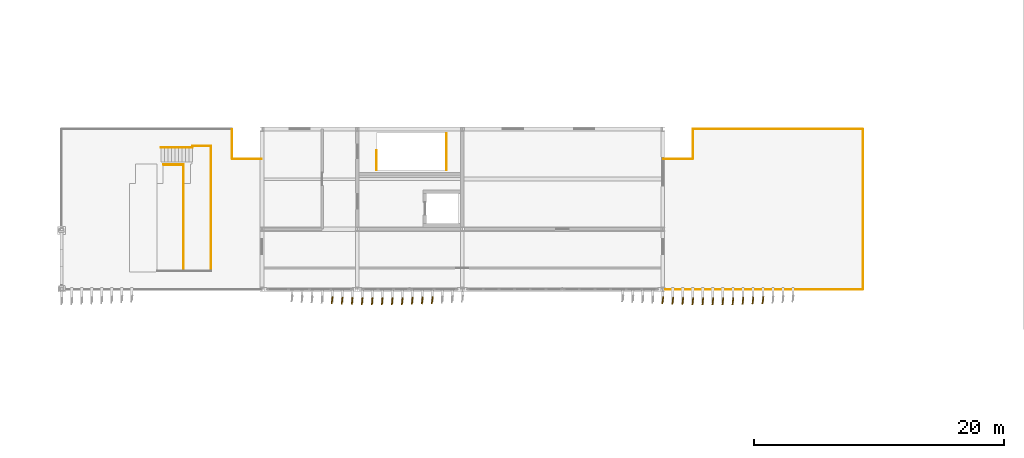
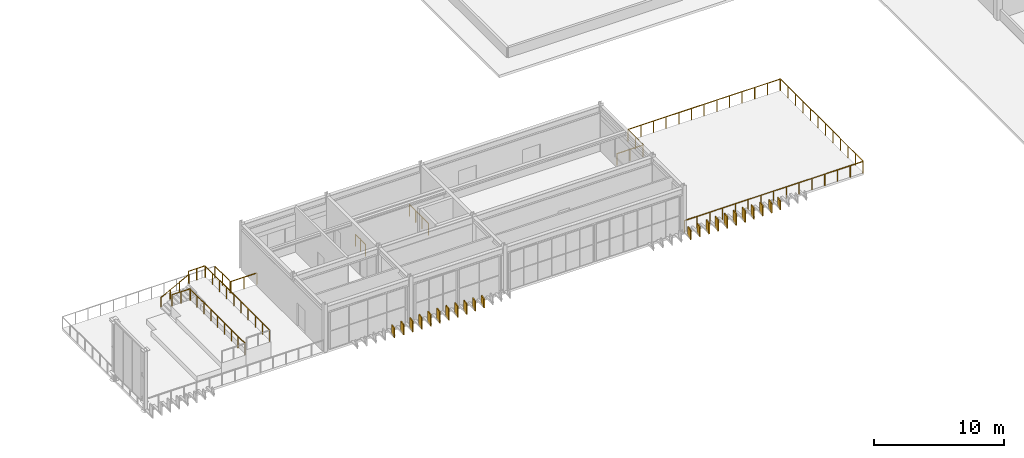
# One storey, part 41 of 45: 22 coverings, 14 railings.
"""IFC4 building model written with IfcOpenShell, lengths in metres."""

from ifc_helpers import new_model, si_unit, direction, frame, origin, origin_2d, place, context, subcontext, project, spatial, rectangle, circle, extrude, material, layer, layer_set, type_object, element, save


model = new_model("IFC4")

# Units and contexts
model_context = context("Model", 3, precision=1e-05, world=origin(), true_north=direction((0.0, 1.0)))
body_context = subcontext(model_context, "Body", "Model", "MODEL_VIEW")
ifc_project = project(units=[si_unit("LENGTHUNIT", "METRE"), si_unit("AREAUNIT", "SQUARE_METRE"), si_unit("VOLUMEUNIT", "CUBIC_METRE"), si_unit("PLANEANGLEUNIT", "RADIAN"), si_unit("MASSUNIT", "GRAM", prefix="KILO")], contexts=[model_context])

# Site, building, storey
site_placement = place(None, origin())
site = spatial("IfcSite", under=ifc_project, at=site_placement, CompositionType="ELEMENT")
building_placement = place(site_placement, origin())
building = spatial("IfcBuilding", under=site, at=building_placement, Name="Cinchona Park Media Centre", CompositionType="ELEMENT")
storey_placement = place(building_placement, frame((0.0, 0.0, 20.39990234375)))
storey = spatial("IfcBuildingStorey", under=building, at=storey_placement, Name="L04", CompositionType="ELEMENT", Elevation=20.39990234375)

# Coverings
ifc_material_1 = material(Name="Anodised Storm-Resistant Aluminium Fin", Category="aluminium")
ifc_layer = layer(ifc_material_1, 0.090087890625)
ifc_layer_set = layer_set([ifc_layer], Name="Anodised Storm-Resistant Aluminium Fin")
covering_type = type_object("IfcCoveringType", Name="CLADDING-FIN01", PredefinedType="CLADDING", material=ifc_layer_set)
covering_1_placement = place(storey_placement, frame((84.39990234375, 73.919921875, 0.0), z_axis=(0.0, 0.0, 1.0), x_axis=(0.150743225348, 0.988572951285, 0.0)))
element("IfcCovering", 1, at=covering_1_placement, inside=storey, type_object=covering_type, Name="Twisting Vertical Facade Fin L04", PredefinedType="CLADDING", context=body_context, shape_type="SweptSolid", body=[
    extrude(rectangle(XDim=0.56005859375, YDim=0.090087890625, at=origin_2d()), origin(), (0.0, 0.0, 1.0), 0.889892578125),
])
covering_2_placement = place(storey_placement, frame((85.199951171875, 73.89111328125, 0.0), z_axis=(0.0, 0.0, 1.0), x_axis=(0.134159142573, 0.990959799621, 0.0)))
element("IfcCovering", 2, at=covering_2_placement, inside=storey, type_object=covering_type, Name="Twisting Vertical Facade Fin L04", PredefinedType="CLADDING", context=body_context, shape_type="SweptSolid", body=[
    extrude(rectangle(XDim=0.56005859375, YDim=0.090087890625, at=origin_2d()), origin(), (0.0, 0.0, 1.0), 0.966064453125),
])
covering_3_placement = place(storey_placement, frame((86.0, 73.867919921875, 0.000244140625), z_axis=(0.0, 0.0, 1.0), x_axis=(0.120829884873, 0.992673228672, 0.0)))
element("IfcCovering", 3, at=covering_3_placement, inside=storey, type_object=covering_type, Name="Twisting Vertical Facade Fin L04", PredefinedType="CLADDING", context=body_context, shape_type="SweptSolid", body=[
    extrude(rectangle(XDim=0.56005859375, YDim=0.090087890625, at=origin_2d()), origin(), (0.0, 0.0, 1.0), 1.02587890625),
])
covering_4_placement = place(storey_placement, frame((86.800048828125, 73.85205078125, 0.0), z_axis=(0.0, 0.0, 1.0), x_axis=(0.111122034978, 0.993806768614, 0.0)))
element("IfcCovering", 4, at=covering_4_placement, inside=storey, type_object=covering_type, Name="Twisting Vertical Facade Fin L04", PredefinedType="CLADDING", context=body_context, shape_type="SweptSolid", body=[
    extrude(rectangle(XDim=0.56005859375, YDim=0.090087890625, at=origin_2d()), origin(), (0.0, 0.0, 1.0), 1.070068359375),
])
covering_5_placement = place(storey_placement, frame((87.60009765625, 73.842041015625, 0.0), z_axis=(0.0, 0.0, 1.0), x_axis=(0.105743422663, 0.994393447567, 0.0)))
element("IfcCovering", 5, at=covering_5_placement, inside=storey, type_object=covering_type, Name="Twisting Vertical Facade Fin L04", PredefinedType="CLADDING", context=body_context, shape_type="SweptSolid", body=[
    extrude(rectangle(XDim=0.56005859375, YDim=0.090087890625, at=origin_2d()), origin(), (0.0, 0.0, 1.0), 1.093994140625),
])
covering_6_placement = place(storey_placement, frame((88.39990234375, 73.840087890625, 0.00048828125), z_axis=(0.0, 0.0, 1.0), x_axis=(0.10470203849, 0.994503636562, 0.0)))
element("IfcCovering", 6, at=covering_6_placement, inside=storey, type_object=covering_type, Name="Twisting Vertical Facade Fin L04", PredefinedType="CLADDING", context=body_context, shape_type="SweptSolid", body=[
    extrude(rectangle(XDim=0.56005859375, YDim=0.090087890625, at=origin_2d()), origin(), (0.0, 0.0, 1.0), 1.09912109375),
])
covering_7_placement = place(storey_placement, frame((89.199951171875, 73.845947265625, 0.0), z_axis=(0.0, 0.0, 1.0), x_axis=(0.107999355706, 0.994150963972, 0.0)))
element("IfcCovering", 7, at=covering_7_placement, inside=storey, type_object=covering_type, Name="Twisting Vertical Facade Fin L04", PredefinedType="CLADDING", context=body_context, shape_type="SweptSolid", body=[
    extrude(rectangle(XDim=0.56005859375, YDim=0.090087890625, at=origin_2d()), origin(), (0.0, 0.0, 1.0), 1.083984375),
])
covering_8_placement = place(storey_placement, frame((90.0, 73.85888671875, 0.0), z_axis=(0.0, 0.0, 1.0), x_axis=(0.115457263478, 0.993312448482, 0.0)))
element("IfcCovering", 8, at=covering_8_placement, inside=storey, type_object=covering_type, Name="Twisting Vertical Facade Fin L04", PredefinedType="CLADDING", context=body_context, shape_type="SweptSolid", body=[
    extrude(rectangle(XDim=0.56005859375, YDim=0.090087890625, at=origin_2d()), origin(), (0.0, 0.0, 1.0), 1.050048828125),
])
covering_9_placement = place(storey_placement, frame((90.800048828125, 73.87890625, 0.0), z_axis=(0.0, 0.0, 1.0), x_axis=(0.127064608601, 0.99189444259, 0.0)))
element("IfcCovering", 9, at=covering_9_placement, inside=storey, type_object=covering_type, Name="Twisting Vertical Facade Fin L04", PredefinedType="CLADDING", context=body_context, shape_type="SweptSolid", body=[
    extrude(rectangle(XDim=0.56005859375, YDim=0.090087890625, at=origin_2d()), origin(), (0.0, 0.0, 1.0), 0.998046875),
])
covering_10_placement = place(storey_placement, frame((91.60009765625, 73.905029296875, 0.0), z_axis=(0.0, 0.0, 1.0), x_axis=(0.142110668555, 0.989850775563, 0.0)))
element("IfcCovering", 10, at=covering_10_placement, inside=storey, type_object=covering_type, Name="Twisting Vertical Facade Fin L04", PredefinedType="CLADDING", context=body_context, shape_type="SweptSolid", body=[
    extrude(rectangle(XDim=0.56005859375, YDim=0.090087890625, at=origin_2d()), origin(), (0.0, 0.0, 1.0), 0.929931640625),
])
covering_11_placement = place(storey_placement, frame((92.39990234375, 73.93603515625, -0.00048828125), z_axis=(0.0, 0.0, 1.0), x_axis=(0.160225753504, 0.987080395872, 0.0)))
element("IfcCovering", 11, at=covering_11_placement, inside=storey, type_object=covering_type, Name="Twisting Vertical Facade Fin L04", PredefinedType="CLADDING", context=body_context, shape_type="SweptSolid", body=[
    extrude(rectangle(XDim=0.56005859375, YDim=0.090087890625, at=origin_2d()), origin(), (0.0, 0.0, 1.0), 0.846923828125),
])
covering_12_placement = place(storey_placement, frame((110.800048828125, 73.919921875, 0.0), z_axis=(0.0, 0.0, 1.0), x_axis=(0.150743225348, 0.988572951285, 0.0)))
element("IfcCovering", 12, at=covering_12_placement, inside=storey, type_object=covering_type, Name="Twisting Vertical Facade Fin L04", PredefinedType="CLADDING", context=body_context, shape_type="SweptSolid", body=[
    extrude(rectangle(XDim=0.56005859375, YDim=0.090087890625, at=origin_2d()), origin(), (0.0, 0.0, 1.0), 0.889892578125),
])
covering_13_placement = place(storey_placement, frame((111.60009765625, 73.89111328125, 0.0), z_axis=(0.0, 0.0, 1.0), x_axis=(0.134159142573, 0.990959799621, 0.0)))
element("IfcCovering", 13, at=covering_13_placement, inside=storey, type_object=covering_type, Name="Twisting Vertical Facade Fin L04", PredefinedType="CLADDING", context=body_context, shape_type="SweptSolid", body=[
    extrude(rectangle(XDim=0.56005859375, YDim=0.090087890625, at=origin_2d()), origin(), (0.0, 0.0, 1.0), 0.966064453125),
])
covering_14_placement = place(storey_placement, frame((112.39990234375, 73.867919921875, 0.000244140625), z_axis=(0.0, 0.0, 1.0), x_axis=(0.120829884873, 0.992673228672, 0.0)))
element("IfcCovering", 14, at=covering_14_placement, inside=storey, type_object=covering_type, Name="Twisting Vertical Facade Fin L04", PredefinedType="CLADDING", context=body_context, shape_type="SweptSolid", body=[
    extrude(rectangle(XDim=0.56005859375, YDim=0.090087890625, at=origin_2d()), origin(), (0.0, 0.0, 1.0), 1.02587890625),
])
covering_15_placement = place(storey_placement, frame((113.199951171875, 73.85205078125, 0.0), z_axis=(0.0, 0.0, 1.0), x_axis=(0.111122034978, 0.993806768614, 0.0)))
element("IfcCovering", 15, at=covering_15_placement, inside=storey, type_object=covering_type, Name="Twisting Vertical Facade Fin L04", PredefinedType="CLADDING", context=body_context, shape_type="SweptSolid", body=[
    extrude(rectangle(XDim=0.56005859375, YDim=0.090087890625, at=origin_2d()), origin(), (0.0, 0.0, 1.0), 1.070068359375),
])
covering_16_placement = place(storey_placement, frame((114.0, 73.842041015625, 0.0), z_axis=(0.0, 0.0, 1.0), x_axis=(0.105743422663, 0.994393447567, 0.0)))
element("IfcCovering", 16, at=covering_16_placement, inside=storey, type_object=covering_type, Name="Twisting Vertical Facade Fin L04", PredefinedType="CLADDING", context=body_context, shape_type="SweptSolid", body=[
    extrude(rectangle(XDim=0.56005859375, YDim=0.090087890625, at=origin_2d()), origin(), (0.0, 0.0, 1.0), 1.093994140625),
])
covering_17_placement = place(storey_placement, frame((114.800048828125, 73.840087890625, 0.00048828125), z_axis=(0.0, 0.0, 1.0), x_axis=(0.10470203849, 0.994503636562, 0.0)))
element("IfcCovering", 17, at=covering_17_placement, inside=storey, type_object=covering_type, Name="Twisting Vertical Facade Fin L04", PredefinedType="CLADDING", context=body_context, shape_type="SweptSolid", body=[
    extrude(rectangle(XDim=0.56005859375, YDim=0.090087890625, at=origin_2d()), origin(), (0.0, 0.0, 1.0), 1.09912109375),
])
covering_18_placement = place(storey_placement, frame((115.60009765625, 73.845947265625, 0.0), z_axis=(0.0, 0.0, 1.0), x_axis=(0.107999355706, 0.994150963972, 0.0)))
element("IfcCovering", 18, at=covering_18_placement, inside=storey, type_object=covering_type, Name="Twisting Vertical Facade Fin L04", PredefinedType="CLADDING", context=body_context, shape_type="SweptSolid", body=[
    extrude(rectangle(XDim=0.56005859375, YDim=0.090087890625, at=origin_2d()), origin(), (0.0, 0.0, 1.0), 1.083984375),
])
covering_19_placement = place(storey_placement, frame((116.39990234375, 73.85888671875, 0.0), z_axis=(0.0, 0.0, 1.0), x_axis=(0.115457263478, 0.993312448482, 0.0)))
element("IfcCovering", 19, at=covering_19_placement, inside=storey, type_object=covering_type, Name="Twisting Vertical Facade Fin L04", PredefinedType="CLADDING", context=body_context, shape_type="SweptSolid", body=[
    extrude(rectangle(XDim=0.56005859375, YDim=0.090087890625, at=origin_2d()), origin(), (0.0, 0.0, 1.0), 1.050048828125),
])
covering_20_placement = place(storey_placement, frame((117.199951171875, 73.87890625, 0.0), z_axis=(0.0, 0.0, 1.0), x_axis=(0.127064608601, 0.99189444259, 0.0)))
element("IfcCovering", 20, at=covering_20_placement, inside=storey, type_object=covering_type, Name="Twisting Vertical Facade Fin L04", PredefinedType="CLADDING", context=body_context, shape_type="SweptSolid", body=[
    extrude(rectangle(XDim=0.56005859375, YDim=0.090087890625, at=origin_2d()), origin(), (0.0, 0.0, 1.0), 0.998046875),
])
covering_21_placement = place(storey_placement, frame((118.0, 73.905029296875, 0.0), z_axis=(0.0, 0.0, 1.0), x_axis=(0.142110668555, 0.989850775563, 0.0)))
element("IfcCovering", 21, at=covering_21_placement, inside=storey, type_object=covering_type, Name="Twisting Vertical Facade Fin L04", PredefinedType="CLADDING", context=body_context, shape_type="SweptSolid", body=[
    extrude(rectangle(XDim=0.56005859375, YDim=0.090087890625, at=origin_2d()), origin(), (0.0, 0.0, 1.0), 0.929931640625),
])
covering_22_placement = place(storey_placement, frame((118.800048828125, 73.93603515625, -0.00048828125), z_axis=(0.0, 0.0, 1.0), x_axis=(0.160225753504, 0.987080395872, 0.0)))
element("IfcCovering", 22, at=covering_22_placement, inside=storey, type_object=covering_type, Name="Twisting Vertical Facade Fin L04", PredefinedType="CLADDING", context=body_context, shape_type="SweptSolid", body=[
    extrude(rectangle(XDim=0.56005859375, YDim=0.090087890625, at=origin_2d()), origin(), (0.0, 0.0, 1.0), 0.846923828125),
])

# Railings
ifc_material_2 = material(Name="Galvanised Painted Steel Balustrade", Category="steel")
railing_type_1 = type_object("IfcRailingType", Name="RAILING-GR01", PredefinedType="BALUSTRADE", material=ifc_material_2)
railing_1_placement = place(storey_placement, frame((76.39990234375, 87.568115234375, 0.0)))
element("IfcRailing", 23, at=railing_1_placement, inside=storey, type_object=railing_type_1, Name="Rooftop Amphitheatre Balustrade GR01 114", PredefinedType="BALUSTRADE", context=body_context, shape_type="SweptSolid", body=[
    extrude(circle(Radius=0.02392578125, at=origin_2d()), frame((0.0, 0.0, 1.076171875), z_axis=(0.0, -1.0, 0.0), x_axis=(1.0, 0.0, 0.0)), (0.0, 0.0, 1.0), 2.336181640625),
    extrude(circle(Radius=0.02099609375, at=origin_2d()), origin(), (0.0, 0.0, 1.0), 1.052001953125),
    extrude(circle(Radius=0.02099609375, at=origin_2d()), frame((0.0, -1.16796875, 0.0)), (0.0, 0.0, 1.0), 1.052001953125),
    extrude(circle(Radius=0.02099609375, at=origin_2d()), frame((0.0, -2.336181640625, 0.0)), (0.0, 0.0, 1.0), 1.052001953125),
])
railing_2_placement = place(storey_placement, frame((76.431884765625, 85.199951171875, 0.0)))
element("IfcRailing", 24, at=railing_2_placement, inside=storey, type_object=railing_type_1, Name="Rooftop Amphitheatre Balustrade GR01 115", PredefinedType="BALUSTRADE", context=body_context, shape_type="SweptSolid", body=[
    extrude(circle(Radius=0.02392578125, at=origin_2d()), frame((0.0, 0.0, 1.076171875), z_axis=(1.0, 0.0, 0.0), x_axis=(0.0, 1.0, 0.0)), (0.0, 0.0, 1.0), 2.316162109375),
    extrude(circle(Radius=0.02099609375, at=origin_2d()), origin(), (0.0, 0.0, 1.0), 1.052001953125),
    extrude(circle(Radius=0.02099609375, at=origin_2d()), frame((1.158203125, 0.0, 0.0)), (0.0, 0.0, 1.0), 1.052001953125),
    extrude(circle(Radius=0.02099609375, at=origin_2d()), frame((2.316162109375, 0.0, 0.0)), (0.0, 0.0, 1.0), 1.052001953125),
])
railing_3_placement = place(storey_placement, frame((113.199951171875, 85.23193359375, 0.0)))
element("IfcRailing", 25, at=railing_3_placement, inside=storey, type_object=railing_type_1, Name="Rooftop Festival Balustrade GR01 117", PredefinedType="BALUSTRADE", context=body_context, shape_type="SweptSolid", body=[
    extrude(circle(Radius=0.02392578125, at=origin_2d()), frame((0.0, 0.0, 1.076171875), z_axis=(0.0, 1.0, 0.0), x_axis=(-1.0, 0.0, 0.0)), (0.0, 0.0, 1.0), 2.336181640625),
    extrude(circle(Radius=0.02099609375, at=origin_2d()), origin(), (0.0, 0.0, 1.0), 1.052001953125),
    extrude(circle(Radius=0.02099609375, at=origin_2d()), frame((0.0, 1.16796875, 0.0)), (0.0, 0.0, 1.0), 1.052001953125),
    extrude(circle(Radius=0.02099609375, at=origin_2d()), frame((0.0, 2.336181640625, 0.0)), (0.0, 0.0, 1.0), 1.052001953125),
])
railing_4_placement = place(storey_placement, frame((113.23193359375, 87.60009765625, 0.0)))
element("IfcRailing", 26, at=railing_4_placement, inside=storey, type_object=railing_type_1, Name="Rooftop Festival Balustrade GR01 118", PredefinedType="BALUSTRADE", context=body_context, shape_type="SweptSolid", body=[
    extrude(circle(Radius=0.02392578125, at=origin_2d()), frame((0.0, 0.0, 1.076171875), z_axis=(1.0, 0.0, 0.0), x_axis=(0.0, 1.0, 0.0)), (0.0, 0.0, 1.0), 13.5361328125),
    extrude(circle(Radius=0.02099609375, at=origin_2d()), origin(), (0.0, 0.0, 1.0), 1.052001953125),
    extrude(circle(Radius=0.02099609375, at=origin_2d()), frame((1.1279296875, 0.0, 0.0)), (0.0, 0.0, 1.0), 1.052001953125),
    extrude(circle(Radius=0.02099609375, at=origin_2d()), frame((2.256103515625, 0.0, 0.0)), (0.0, 0.0, 1.0), 1.052001953125),
    extrude(circle(Radius=0.02099609375, at=origin_2d()), frame((3.384033203125, 0.0, 0.0)), (0.0, 0.0, 1.0), 1.052001953125),
    extrude(circle(Radius=0.02099609375, at=origin_2d()), frame((4.511962890625, 0.0, 0.0)), (0.0, 0.0, 1.0), 1.052001953125),
    extrude(circle(Radius=0.02099609375, at=origin_2d()), frame((5.64013671875, 0.0, 0.0)), (0.0, 0.0, 1.0), 1.052001953125),
    extrude(circle(Radius=0.02099609375, at=origin_2d()), frame((6.76806640625, 0.0, 0.0)), (0.0, 0.0, 1.0), 1.052001953125),
    extrude(circle(Radius=0.02099609375, at=origin_2d()), frame((7.89599609375, 0.0, 0.0)), (0.0, 0.0, 1.0), 1.052001953125),
    extrude(circle(Radius=0.02099609375, at=origin_2d()), frame((9.024169921875, 0.0, 0.0)), (0.0, 0.0, 1.0), 1.052001953125),
    extrude(circle(Radius=0.02099609375, at=origin_2d()), frame((10.152099609375, 0.0, 0.0)), (0.0, 0.0, 1.0), 1.052001953125),
    extrude(circle(Radius=0.02099609375, at=origin_2d()), frame((11.280029296875, 0.0, 0.0)), (0.0, 0.0, 1.0), 1.052001953125),
    extrude(circle(Radius=0.02099609375, at=origin_2d()), frame((12.408203125, 0.0, 0.0)), (0.0, 0.0, 1.0), 1.052001953125),
    extrude(circle(Radius=0.02099609375, at=origin_2d()), frame((13.5361328125, 0.0, 0.0)), (0.0, 0.0, 1.0), 1.052001953125),
])
railing_5_placement = place(storey_placement, frame((126.800048828125, 87.568115234375, 0.0)))
element("IfcRailing", 27, at=railing_5_placement, inside=storey, type_object=railing_type_1, Name="Rooftop Festival Balustrade GR01 119", PredefinedType="BALUSTRADE", context=body_context, shape_type="SweptSolid", body=[
    extrude(circle(Radius=0.02392578125, at=origin_2d()), frame((0.0, 0.0, 1.076171875), z_axis=(0.0, -1.0, 0.0), x_axis=(1.0, 0.0, 0.0)), (0.0, 0.0, 1.0), 12.736083984375),
    extrude(circle(Radius=0.02099609375, at=origin_2d()), origin(), (0.0, 0.0, 1.0), 1.052001953125),
    extrude(circle(Radius=0.02099609375, at=origin_2d()), frame((0.0, -1.15771484375, 0.0)), (0.0, 0.0, 1.0), 1.052001953125),
    extrude(circle(Radius=0.02099609375, at=origin_2d()), frame((0.0, -2.315673828125, 0.0)), (0.0, 0.0, 1.0), 1.052001953125),
    extrude(circle(Radius=0.02099609375, at=origin_2d()), frame((0.0, -3.473388671875, 0.0)), (0.0, 0.0, 1.0), 1.052001953125),
    extrude(circle(Radius=0.02099609375, at=origin_2d()), frame((0.0, -4.63134765625, 0.0)), (0.0, 0.0, 1.0), 1.052001953125),
    extrude(circle(Radius=0.02099609375, at=origin_2d()), frame((0.0, -5.7890625, 0.0)), (0.0, 0.0, 1.0), 1.052001953125),
    extrude(circle(Radius=0.02099609375, at=origin_2d()), frame((0.0, -6.947021484375, 0.0)), (0.0, 0.0, 1.0), 1.052001953125),
    extrude(circle(Radius=0.02099609375, at=origin_2d()), frame((0.0, -8.104736328125, 0.0)), (0.0, 0.0, 1.0), 1.052001953125),
    extrude(circle(Radius=0.02099609375, at=origin_2d()), frame((0.0, -9.2626953125, 0.0)), (0.0, 0.0, 1.0), 1.052001953125),
    extrude(circle(Radius=0.02099609375, at=origin_2d()), frame((0.0, -10.42041015625, 0.0)), (0.0, 0.0, 1.0), 1.052001953125),
    extrude(circle(Radius=0.02099609375, at=origin_2d()), frame((0.0, -11.578369140625, 0.0)), (0.0, 0.0, 1.0), 1.052001953125),
    extrude(circle(Radius=0.02099609375, at=origin_2d()), frame((0.0, -12.736083984375, 0.0)), (0.0, 0.0, 1.0), 1.052001953125),
])
railing_6_placement = place(storey_placement, frame((126.76806640625, 74.800048828125, 0.0)))
element("IfcRailing", 28, at=railing_6_placement, inside=storey, type_object=railing_type_1, Name="Rooftop Festival Balustrade GR01 120", PredefinedType="BALUSTRADE", context=body_context, shape_type="SweptSolid", body=[
    extrude(circle(Radius=0.02392578125, at=origin_2d()), frame((0.0, 0.0, 1.076171875), z_axis=(-1.0, 0.0, 0.0), x_axis=(0.0, -1.0, 0.0)), (0.0, 0.0, 1.0), 15.916015625),
    extrude(circle(Radius=0.02099609375, at=origin_2d()), origin(), (0.0, 0.0, 1.0), 1.052001953125),
    extrude(circle(Radius=0.02099609375, at=origin_2d()), frame((-1.136962890625, 0.0, 0.0)), (0.0, 0.0, 1.0), 1.052001953125),
    extrude(circle(Radius=0.02099609375, at=origin_2d()), frame((-2.273681640625, 0.0, 0.0)), (0.0, 0.0, 1.0), 1.052001953125),
    extrude(circle(Radius=0.02099609375, at=origin_2d()), frame((-3.41064453125, 0.0, 0.0)), (0.0, 0.0, 1.0), 1.052001953125),
    extrude(circle(Radius=0.02099609375, at=origin_2d()), frame((-4.54736328125, 0.0, 0.0)), (0.0, 0.0, 1.0), 1.052001953125),
    extrude(circle(Radius=0.02099609375, at=origin_2d()), frame((-5.684326171875, 0.0, 0.0)), (0.0, 0.0, 1.0), 1.052001953125),
    extrude(circle(Radius=0.02099609375, at=origin_2d()), frame((-6.821044921875, 0.0, 0.0)), (0.0, 0.0, 1.0), 1.052001953125),
    extrude(circle(Radius=0.02099609375, at=origin_2d()), frame((-7.9580078125, 0.0, 0.0)), (0.0, 0.0, 1.0), 1.052001953125),
    extrude(circle(Radius=0.02099609375, at=origin_2d()), frame((-9.094970703125, 0.0, 0.0)), (0.0, 0.0, 1.0), 1.052001953125),
    extrude(circle(Radius=0.02099609375, at=origin_2d()), frame((-10.231689453125, 0.0, 0.0)), (0.0, 0.0, 1.0), 1.052001953125),
    extrude(circle(Radius=0.02099609375, at=origin_2d()), frame((-11.36865234375, 0.0, 0.0)), (0.0, 0.0, 1.0), 1.052001953125),
    extrude(circle(Radius=0.02099609375, at=origin_2d()), frame((-12.50537109375, 0.0, 0.0)), (0.0, 0.0, 1.0), 1.052001953125),
    extrude(circle(Radius=0.02099609375, at=origin_2d()), frame((-13.642333984375, 0.0, 0.0)), (0.0, 0.0, 1.0), 1.052001953125),
    extrude(circle(Radius=0.02099609375, at=origin_2d()), frame((-14.779052734375, 0.0, 0.0)), (0.0, 0.0, 1.0), 1.052001953125),
    extrude(circle(Radius=0.02099609375, at=origin_2d()), frame((-15.916015625, 0.0, 0.0)), (0.0, 0.0, 1.0), 1.052001953125),
])
railing_7_placement = place(storey_placement, frame((110.85205078125, 85.199951171875, 0.0)))
element("IfcRailing", 29, at=railing_7_placement, inside=storey, type_object=railing_type_1, Name="Rooftop Festival Balustrade GR01 121", PredefinedType="BALUSTRADE", context=body_context, shape_type="SweptSolid", body=[
    extrude(circle(Radius=0.02392578125, at=origin_2d()), frame((0.0, 0.0, 1.076171875), z_axis=(1.0, 0.0, 0.0), x_axis=(0.0, 1.0, 0.0)), (0.0, 0.0, 1.0), 2.31591796875),
    extrude(circle(Radius=0.02099609375, at=origin_2d()), origin(), (0.0, 0.0, 1.0), 1.052001953125),
    extrude(circle(Radius=0.02099609375, at=origin_2d()), frame((1.157958984375, 0.0, 0.0)), (0.0, 0.0, 1.0), 1.052001953125),
    extrude(circle(Radius=0.02099609375, at=origin_2d()), frame((2.31591796875, 0.0, 0.0)), (0.0, 0.0, 1.0), 1.052001953125),
])
ifc_material_3 = material(Name="Painted Steel Stairwell Guardrail", Category="steel")
railing_type_2 = type_object("IfcRailingType", Name="RAILING-GR02", PredefinedType="GUARDRAIL", material=ifc_material_3)
railing_8_placement = place(storey_placement, frame((87.93505859375, 84.320068359375, 0.0)))
element("IfcRailing", 30, at=railing_8_placement, inside=storey, type_object=railing_type_2, Name="Stairwell Guardrail GR02 ST5 L04", PredefinedType="GUARDRAIL", context=body_context, shape_type="SweptSolid", body=[
    extrude(circle(Radius=0.02392578125, at=origin_2d()), frame((0.0, 0.0, 1.076171875), z_axis=(0.0, 1.0, 0.0), x_axis=(-1.0, 0.0, 0.0)), (0.0, 0.0, 1.0), 1.559814453125),
    extrude(circle(Radius=0.02099609375, at=origin_2d()), origin(), (0.0, 0.0, 1.0), 1.052001953125),
    extrude(circle(Radius=0.02099609375, at=origin_2d()), frame((0.0, 0.77978515625, 0.0)), (0.0, 0.0, 1.0), 1.052001953125),
    extrude(circle(Radius=0.02099609375, at=origin_2d()), frame((0.0, 1.559814453125, 0.0)), (0.0, 0.0, 1.0), 1.052001953125),
])
railing_9_placement = place(storey_placement, frame((93.5400390625, 84.340087890625, 0.0)))
element("IfcRailing", 31, at=railing_9_placement, inside=storey, type_object=railing_type_2, Name="Stairwell East Guardrail GR02 ST5 L04", PredefinedType="GUARDRAIL", context=body_context, shape_type="SweptSolid", body=[
    extrude(circle(Radius=0.02392578125, at=origin_2d()), frame((0.0, 0.0, 1.076171875), z_axis=(0.0, 1.0, 0.0), x_axis=(-1.0, 0.0, 0.0)), (0.0, 0.0, 1.0), 2.919921875),
    extrude(circle(Radius=0.02099609375, at=origin_2d()), origin(), (0.0, 0.0, 1.0), 1.052001953125),
    extrude(circle(Radius=0.02099609375, at=origin_2d()), frame((0.0, 0.973388671875, 0.0)), (0.0, 0.0, 1.0), 1.052001953125),
    extrude(circle(Radius=0.02099609375, at=origin_2d()), frame((0.0, 1.946533203125, 0.0)), (0.0, 0.0, 1.0), 1.052001953125),
    extrude(circle(Radius=0.02099609375, at=origin_2d()), frame((0.0, 2.919921875, 0.0)), (0.0, 0.0, 1.0), 1.052001953125),
])
railing_10_placement = place(storey_placement, frame((72.5400390625, 76.280029296875, 0.960205078125)))
element("IfcRailing", 32, at=railing_10_placement, inside=storey, type_object=railing_type_2, Name="Auditorium Tier Guardrail GR02 172", PredefinedType="GUARDRAIL", context=body_context, shape_type="SweptSolid", body=[
    extrude(circle(Radius=0.02392578125, at=origin_2d()), frame((0.0, 0.0, 1.076171875), z_axis=(0.0, 1.0, 0.0), x_axis=(-1.0, 0.0, 0.0)), (0.0, 0.0, 1.0), 8.43994140625),
    extrude(circle(Radius=0.02099609375, at=origin_2d()), origin(), (0.0, 0.0, 1.0), 1.052001953125),
    extrude(circle(Radius=0.02099609375, at=origin_2d()), frame((0.0, 1.054931640625, 0.0)), (0.0, 0.0, 1.0), 1.052001953125),
    extrude(circle(Radius=0.02099609375, at=origin_2d()), frame((0.0, 2.10986328125, 0.0)), (0.0, 0.0, 1.0), 1.052001953125),
    extrude(circle(Radius=0.02099609375, at=origin_2d()), frame((0.0, 3.1650390625, 0.0)), (0.0, 0.0, 1.0), 1.052001953125),
    extrude(circle(Radius=0.02099609375, at=origin_2d()), frame((0.0, 4.219970703125, 0.0)), (0.0, 0.0, 1.0), 1.052001953125),
    extrude(circle(Radius=0.02099609375, at=origin_2d()), frame((0.0, 5.27490234375, 0.0)), (0.0, 0.0, 1.0), 1.052001953125),
    extrude(circle(Radius=0.02099609375, at=origin_2d()), frame((0.0, 6.330078125, 0.0)), (0.0, 0.0, 1.0), 1.052001953125),
    extrude(circle(Radius=0.02099609375, at=origin_2d()), frame((0.0, 7.385009765625, 0.0)), (0.0, 0.0, 1.0), 1.052001953125),
    extrude(circle(Radius=0.02099609375, at=origin_2d()), frame((0.0, 8.43994140625, 0.0)), (0.0, 0.0, 1.0), 1.052001953125),
])
railing_11_placement = place(storey_placement, frame((72.5400390625, 84.75, 0.960205078125)))
element("IfcRailing", 33, at=railing_11_placement, inside=storey, type_object=railing_type_2, Name="Auditorium Tier Side Guardrail GR02 174", PredefinedType="GUARDRAIL", context=body_context, shape_type="SweptSolid", body=[
    extrude(circle(Radius=0.02392578125, at=origin_2d()), frame((0.0, 0.0, 1.076171875), z_axis=(-1.0, 0.0, 0.0), x_axis=(0.0, -1.0, 0.0)), (0.0, 0.0, 1.0), 1.595947265625),
    extrude(circle(Radius=0.02099609375, at=origin_2d()), origin(), (0.0, 0.0, 1.0), 1.052001953125),
    extrude(circle(Radius=0.02099609375, at=origin_2d()), frame((-0.7978515625, 0.0, 0.0)), (0.0, 0.0, 1.0), 1.052001953125),
    extrude(circle(Radius=0.02099609375, at=origin_2d()), frame((-1.595947265625, 0.0, 0.0)), (0.0, 0.0, 1.0), 1.052001953125),
])
railing_12_placement = place(storey_placement, frame((74.739990234375, 76.280029296875, 1.440185546875)))
element("IfcRailing", 34, at=railing_12_placement, inside=storey, type_object=railing_type_2, Name="Auditorium Tier Guardrail GR02 175", PredefinedType="GUARDRAIL", context=body_context, shape_type="SweptSolid", body=[
    extrude(circle(Radius=0.02392578125, at=origin_2d()), frame((0.0, 0.0, 1.076171875), z_axis=(0.0, 1.0, 0.0), x_axis=(-1.0, 0.0, 0.0)), (0.0, 0.0, 1.0), 9.93994140625),
    extrude(circle(Radius=0.02099609375, at=origin_2d()), origin(), (0.0, 0.0, 1.0), 1.052001953125),
    extrude(circle(Radius=0.02099609375, at=origin_2d()), frame((0.0, 1.1044921875, 0.0)), (0.0, 0.0, 1.0), 1.052001953125),
    extrude(circle(Radius=0.02099609375, at=origin_2d()), frame((0.0, 2.208984375, 0.0)), (0.0, 0.0, 1.0), 1.052001953125),
    extrude(circle(Radius=0.02099609375, at=origin_2d()), frame((0.0, 3.313232421875, 0.0)), (0.0, 0.0, 1.0), 1.052001953125),
    extrude(circle(Radius=0.02099609375, at=origin_2d()), frame((0.0, 4.417724609375, 0.0)), (0.0, 0.0, 1.0), 1.052001953125),
    extrude(circle(Radius=0.02099609375, at=origin_2d()), frame((0.0, 5.522216796875, 0.0)), (0.0, 0.0, 1.0), 1.052001953125),
    extrude(circle(Radius=0.02099609375, at=origin_2d()), frame((0.0, 6.626708984375, 0.0)), (0.0, 0.0, 1.0), 1.052001953125),
    extrude(circle(Radius=0.02099609375, at=origin_2d()), frame((0.0, 7.73095703125, 0.0)), (0.0, 0.0, 1.0), 1.052001953125),
    extrude(circle(Radius=0.02099609375, at=origin_2d()), frame((0.0, 8.83544921875, 0.0)), (0.0, 0.0, 1.0), 1.052001953125),
    extrude(circle(Radius=0.02099609375, at=origin_2d()), frame((0.0, 9.93994140625, 0.0)), (0.0, 0.0, 1.0), 1.052001953125),
])
railing_13_placement = place(storey_placement, frame((74.739990234375, 86.25, 1.440185546875)))
element("IfcRailing", 35, at=railing_13_placement, inside=storey, type_object=railing_type_2, Name="Auditorium Tier Side Guardrail GR02 177", PredefinedType="GUARDRAIL", context=body_context, shape_type="SweptSolid", body=[
    extrude(circle(Radius=0.02392578125, at=origin_2d()), frame((0.0, 0.0, 1.076171875), z_axis=(-1.0, 0.0, 0.0), x_axis=(0.0, -1.0, 0.0)), (0.0, 0.0, 1.0), 1.47998046875),
    extrude(circle(Radius=0.02099609375, at=origin_2d()), origin(), (0.0, 0.0, 1.0), 1.052001953125),
    extrude(circle(Radius=0.02099609375, at=origin_2d()), frame((-0.739990234375, 0.0, 0.0)), (0.0, 0.0, 1.0), 1.052001953125),
    extrude(circle(Radius=0.02099609375, at=origin_2d()), frame((-1.47998046875, 0.0, 0.0)), (0.0, 0.0, 1.0), 1.052001953125),
])
ifc_material_4 = material(Name="Brushed Stainless Steel Handrail", Category="steel")
railing_type_3 = type_object("IfcRailingType", Name="RAILING-HR01", PredefinedType="HANDRAIL", material=ifc_material_4)
railing_14_placement = place(storey_placement, frame((70.719970703125, 86.110107421875, 0.14404296875)))
element("IfcRailing", 36, at=railing_14_placement, inside=storey, type_object=railing_type_3, Name="Handrail HR01 SVM8", PredefinedType="HANDRAIL", context=body_context, shape_type="SweptSolid", body=[
    extrude(circle(Radius=0.02392578125, at=origin_2d()), frame((0.0, 0.0, 0.8759765625), z_axis=(0.889268780088, 0.0, 0.4573849984), x_axis=(0.0, 1.0, 0.0)), (0.0, 0.0, 1.0), 2.833740234375),
    extrude(circle(Radius=0.02099609375, at=origin_2d()), origin(), (0.0, 0.0, 1.0), 0.851806640625),
    extrude(circle(Radius=0.02099609375, at=origin_2d()), frame((0.840087890625, 0.0, 0.43212890625)), (0.0, 0.0, 1.0), 0.851806640625),
    extrude(circle(Radius=0.02099609375, at=origin_2d()), frame((1.679931640625, 0.0, 0.864013671875)), (0.0, 0.0, 1.0), 0.851806640625),
    extrude(circle(Radius=0.02099609375, at=origin_2d()), frame((2.52001953125, 0.0, 1.296142578125)), (0.0, 0.0, 1.0), 0.851806640625),
])

save(model, "model.ifc")
